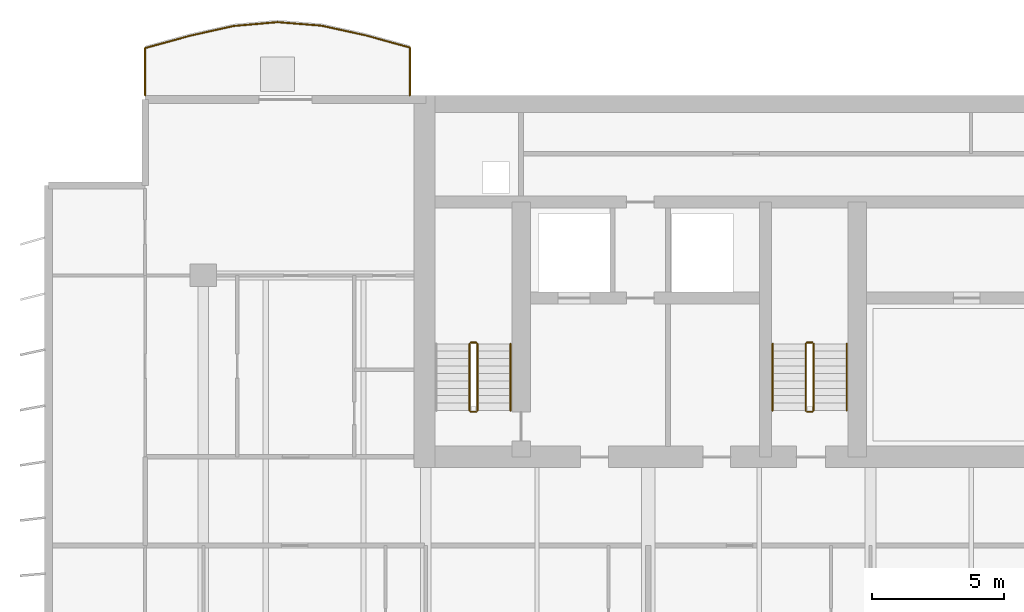
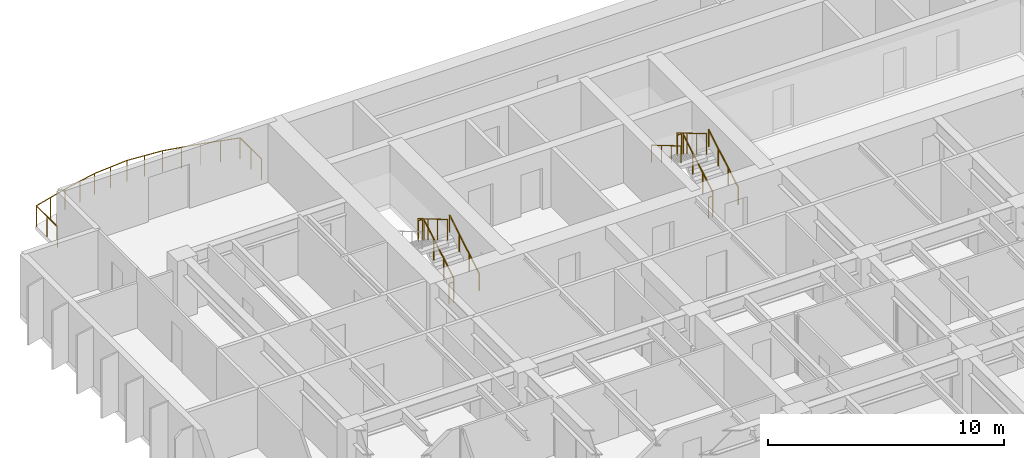
# One storey, part 17 of 19: 12 railings.
"""IFC4 building model written with IfcOpenShell, lengths in metres."""

from ifc_helpers import new_model, si_unit, direction, frame, origin, origin_2d, place, context, subcontext, project, spatial, circle, extrude, material, type_object, element, save


model = new_model("IFC4")

# Units and contexts
model_context = context("Model", 3, precision=1e-05, world=origin(), true_north=direction((0.0, 1.0)))
body_context = subcontext(model_context, "Body", "Model", "MODEL_VIEW")
ifc_project = project(units=[si_unit("LENGTHUNIT", "METRE"), si_unit("AREAUNIT", "SQUARE_METRE"), si_unit("VOLUMEUNIT", "CUBIC_METRE"), si_unit("PLANEANGLEUNIT", "RADIAN"), si_unit("MASSUNIT", "GRAM", prefix="KILO")], contexts=[model_context])

# Site, building, storey
site_placement = place(None, origin())
site = spatial("IfcSite", under=ifc_project, at=site_placement, CompositionType="ELEMENT")
building_placement = place(site_placement, origin())
building = spatial("IfcBuilding", under=site, at=building_placement, Name="Caelmar Bay Residences", CompositionType="ELEMENT")
storey_placement = place(building_placement, frame((0.0, 0.0, 112.5)))
storey = spatial("IfcBuildingStorey", under=building, at=storey_placement, Name="L30", CompositionType="ELEMENT", Elevation=112.5)

# Railings
ifc_material_1 = material(Name="Anodised bronze handrail with laminated hurricane glass infill", Category="glass")
railing_type_1 = type_object("IfcRailingType", Name="RL-BAL-1100", PredefinedType="BALUSTRADE", material=ifc_material_1)
railing_1_placement = place(storey_placement, frame((17.699951171875, 50.60009765625, 0.0)))
element("IfcRailing", 1, at=railing_1_placement, inside=storey, type_object=railing_type_1, Name="L30 north_west Balcony Balustrade", PredefinedType="BALUSTRADE", context=body_context, shape_type="SweptSolid", body=[
    extrude(circle(Radius=0.02392578125, at=origin_2d()), frame((0.0, 0.0, 1.076171875), z_axis=(0.0, 1.0, 0.0), x_axis=(-1.0, 0.0, 0.0)), (0.0, 0.0, 1.0), 1.8095703125),
    extrude(circle(Radius=0.02392578125, at=origin_2d()), frame((0.0, 1.8095703125, 1.076171875), z_axis=(-0.964003851304, 0.265888274792, 0.0), x_axis=(-0.265888274792, -0.964003851304, 0.0)), (0.0, 0.0, 1.0), 1.72900390625),
    extrude(circle(Radius=0.02392578125, at=origin_2d()), frame((-1.666748046875, 2.269287109375, 1.076171875), z_axis=(-0.97672606775, 0.214490532604, 0.0), x_axis=(-0.214490532604, -0.97672606775, 0.0)), (0.0, 0.0, 1.0), 1.706298828125),
    extrude(circle(Radius=0.02392578125, at=origin_2d()), frame((-3.333251953125, 2.63525390625, 1.076171875), z_axis=(-0.996758858584, 0.080447360639, 0.0), x_axis=(-0.080447360639, -0.996758858584, 0.0)), (0.0, 0.0, 1.0), 1.672119140625),
    extrude(circle(Radius=0.02392578125, at=origin_2d()), frame((-5.0, 2.769775390625, 1.076171875), z_axis=(-0.99610915751, -0.088128011006, 0.0), x_axis=(0.088128011006, -0.99610915751, 0.0)), (0.0, 0.0, 1.0), 1.67333984375),
    extrude(circle(Radius=0.02392578125, at=origin_2d()), frame((-6.666748046875, 2.622314453125, 1.076171875), z_axis=(-0.975696921585, -0.219124433166, 0.0), x_axis=(0.219124433166, -0.975696921585, 0.0)), (0.0, 0.0, 1.0), 1.7080078125),
    extrude(circle(Radius=0.02392578125, at=origin_2d()), frame((-8.333251953125, 2.248046875, 1.076171875), z_axis=(-0.963967650546, -0.266019489326, 0.0), x_axis=(0.266019489326, -0.963967650546, 0.0)), (0.0, 0.0, 1.0), 1.72900390625),
    extrude(circle(Radius=0.02392578125, at=origin_2d()), frame((-10.0, 1.7880859375, 1.076171875), z_axis=(0.0, -1.0, 0.0), x_axis=(1.0, 0.0, 0.0)), (0.0, 0.0, 1.0), 1.7880859375),
    extrude(circle(Radius=0.02099609375, at=origin_2d()), origin(), (0.0, 0.0, 1.0), 1.052001953125),
    extrude(circle(Radius=0.02099609375, at=origin_2d()), frame((0.0, 0.90478515625, 0.0)), (0.0, 0.0, 1.0), 1.052001953125),
    extrude(circle(Radius=0.02099609375, at=origin_2d()), frame((0.0, 1.8095703125, 0.0)), (0.0, 0.0, 1.0), 1.052001953125),
    extrude(circle(Radius=0.02099609375, at=origin_2d()), frame((-0.83349609375, 2.03955078125, 0.0)), (0.0, 0.0, 1.0), 1.052001953125),
    extrude(circle(Radius=0.02099609375, at=origin_2d()), frame((-1.666748046875, 2.269287109375, 0.0)), (0.0, 0.0, 1.0), 1.052001953125),
    extrude(circle(Radius=0.02099609375, at=origin_2d()), frame((-2.5, 2.4521484375, 0.0)), (0.0, 0.0, 1.0), 1.052001953125),
    extrude(circle(Radius=0.02099609375, at=origin_2d()), frame((-3.333251953125, 2.63525390625, 0.0)), (0.0, 0.0, 1.0), 1.052001953125),
    extrude(circle(Radius=0.02099609375, at=origin_2d()), frame((-4.16650390625, 2.70263671875, 0.0)), (0.0, 0.0, 1.0), 1.052001953125),
    extrude(circle(Radius=0.02099609375, at=origin_2d()), frame((-5.0, 2.769775390625, 0.0)), (0.0, 0.0, 1.0), 1.052001953125),
    extrude(circle(Radius=0.02099609375, at=origin_2d()), frame((-5.83349609375, 2.696044921875, 0.0)), (0.0, 0.0, 1.0), 1.052001953125),
    extrude(circle(Radius=0.02099609375, at=origin_2d()), frame((-6.666748046875, 2.622314453125, 0.0)), (0.0, 0.0, 1.0), 1.052001953125),
    extrude(circle(Radius=0.02099609375, at=origin_2d()), frame((-7.5, 2.43505859375, 0.0)), (0.0, 0.0, 1.0), 1.052001953125),
    extrude(circle(Radius=0.02099609375, at=origin_2d()), frame((-8.333251953125, 2.248046875, 0.0)), (0.0, 0.0, 1.0), 1.052001953125),
    extrude(circle(Radius=0.02099609375, at=origin_2d()), frame((-9.16650390625, 2.01806640625, 0.0)), (0.0, 0.0, 1.0), 1.052001953125),
    extrude(circle(Radius=0.02099609375, at=origin_2d()), frame((-10.0, 1.7880859375, 0.0)), (0.0, 0.0, 1.0), 1.052001953125),
    extrude(circle(Radius=0.02099609375, at=origin_2d()), frame((-10.0, 0.89404296875, 0.0)), (0.0, 0.0, 1.0), 1.052001953125),
    extrude(circle(Radius=0.02099609375, at=origin_2d()), frame((-10.0, 0.0, 0.0)), (0.0, 0.0, 1.0), 1.052001953125),
])
ifc_material_2 = material(Name="Painted galvanized steel stair guard 1100 mm", Category="steel")
railing_type_2 = type_object("IfcRailingType", Name="RL-GRD-1100", PredefinedType="GUARDRAIL", material=ifc_material_2)
railing_2_placement = place(storey_placement, frame((20.25, 38.699951171875, 0.1650390625)))
element("IfcRailing", 2, at=railing_2_placement, inside=storey, type_object=railing_type_2, Name="L30 ST1 stair guard 1", PredefinedType="GUARDRAIL", context=body_context, shape_type="SweptSolid", body=[
    extrude(circle(Radius=0.02392578125, at=origin_2d()), frame((0.0, 0.0, 1.076171875), z_axis=(0.0, 0.861560626758, 0.507654692109), x_axis=(-1.0, 0.0, 0.0)), (0.0, 0.0, 1.0), 2.925048828125),
    extrude(circle(Radius=0.02099609375, at=origin_2d()), origin(), (0.0, 0.0, 1.0), 1.052001953125),
    extrude(circle(Radius=0.02099609375, at=origin_2d()), frame((0.0, 0.840087890625, 0.494873046875)), (0.0, 0.0, 1.0), 1.052001953125),
    extrude(circle(Radius=0.02099609375, at=origin_2d()), frame((0.0, 1.679931640625, 0.989990234375)), (0.0, 0.0, 1.0), 1.052001953125),
    extrude(circle(Radius=0.02099609375, at=origin_2d()), frame((0.0, 2.52001953125, 1.48486328125)), (0.0, 0.0, 1.0), 1.052001953125),
])
railing_3_placement = place(storey_placement, frame((20.199951171875, 41.27001953125, 1.64990234375)))
element("IfcRailing", 3, at=railing_3_placement, inside=storey, type_object=railing_type_2, Name="L30 ST1 stair guard 2", PredefinedType="GUARDRAIL", context=body_context, shape_type="SweptSolid", body=[
    extrude(circle(Radius=0.02392578125, at=origin_2d()), frame((0.0, 0.0, 1.076171875), z_axis=(-1.0, 0.0, 0.0), x_axis=(0.0, -1.0, 0.0)), (0.0, 0.0, 1.0), 0.199951171875),
    extrude(circle(Radius=0.02099609375, at=origin_2d()), origin(), (0.0, 0.0, 1.0), 1.052001953125),
    extrude(circle(Radius=0.02099609375, at=origin_2d()), frame((-0.199951171875, 0.0, 0.0)), (0.0, 0.0, 1.0), 1.052001953125),
])
railing_4_placement = place(storey_placement, frame((19.949951171875, 41.219970703125, 1.81494140625)))
element("IfcRailing", 4, at=railing_4_placement, inside=storey, type_object=railing_type_2, Name="L30 ST1 stair guard 3", PredefinedType="GUARDRAIL", context=body_context, shape_type="SweptSolid", body=[
    extrude(circle(Radius=0.02392578125, at=origin_2d()), frame((0.0, 0.0, 1.076171875), z_axis=(0.0, -0.86152411907, 0.507716645641), x_axis=(1.0, 0.0, 0.0)), (0.0, 0.0, 1.0), 2.925048828125),
    extrude(circle(Radius=0.02099609375, at=origin_2d()), origin(), (0.0, 0.0, 1.0), 1.052001953125),
    extrude(circle(Radius=0.02099609375, at=origin_2d()), frame((0.0, -0.840087890625, 0.4951171875)), (0.0, 0.0, 1.0), 1.052001953125),
    extrude(circle(Radius=0.02099609375, at=origin_2d()), frame((0.0, -1.679931640625, 0.989990234375)), (0.0, 0.0, 1.0), 1.052001953125),
    extrude(circle(Radius=0.02099609375, at=origin_2d()), frame((0.0, -2.52001953125, 1.485107421875)), (0.0, 0.0, 1.0), 1.052001953125),
])
railing_5_placement = place(storey_placement, frame((20.199951171875, 38.64990234375, 0.0)))
element("IfcRailing", 5, at=railing_5_placement, inside=storey, type_object=railing_type_2, Name="L30 ST1 stair guard 4", PredefinedType="GUARDRAIL", context=body_context, shape_type="SweptSolid", body=[
    extrude(circle(Radius=0.02392578125, at=origin_2d()), frame((0.0, 0.0, 1.076171875), z_axis=(-1.0, 0.0, 0.0), x_axis=(0.0, -1.0, 0.0)), (0.0, 0.0, 1.0), 0.199951171875),
    extrude(circle(Radius=0.02099609375, at=origin_2d()), origin(), (0.0, 0.0, 1.0), 1.052001953125),
    extrude(circle(Radius=0.02099609375, at=origin_2d()), frame((-0.199951171875, 0.0, 0.0)), (0.0, 0.0, 1.0), 1.052001953125),
])
railing_6_placement = place(storey_placement, frame((32.949951171875, 38.699951171875, 0.1650390625)))
element("IfcRailing", 6, at=railing_6_placement, inside=storey, type_object=railing_type_2, Name="L30 ST3 stair guard 1", PredefinedType="GUARDRAIL", context=body_context, shape_type="SweptSolid", body=[
    extrude(circle(Radius=0.02392578125, at=origin_2d()), frame((0.0, 0.0, 1.076171875), z_axis=(0.0, 0.861560626758, 0.507654692109), x_axis=(-1.0, 0.0, 0.0)), (0.0, 0.0, 1.0), 2.925048828125),
    extrude(circle(Radius=0.02099609375, at=origin_2d()), origin(), (0.0, 0.0, 1.0), 1.052001953125),
    extrude(circle(Radius=0.02099609375, at=origin_2d()), frame((0.0, 0.840087890625, 0.494873046875)), (0.0, 0.0, 1.0), 1.052001953125),
    extrude(circle(Radius=0.02099609375, at=origin_2d()), frame((0.0, 1.679931640625, 0.989990234375)), (0.0, 0.0, 1.0), 1.052001953125),
    extrude(circle(Radius=0.02099609375, at=origin_2d()), frame((0.0, 2.52001953125, 1.48486328125)), (0.0, 0.0, 1.0), 1.052001953125),
])
railing_7_placement = place(storey_placement, frame((32.89990234375, 41.27001953125, 1.64990234375)))
element("IfcRailing", 7, at=railing_7_placement, inside=storey, type_object=railing_type_2, Name="L30 ST3 stair guard 2", PredefinedType="GUARDRAIL", context=body_context, shape_type="SweptSolid", body=[
    extrude(circle(Radius=0.02392578125, at=origin_2d()), frame((0.0, 0.0, 1.076171875), z_axis=(-1.0, 0.0, 0.0), x_axis=(0.0, -1.0, 0.0)), (0.0, 0.0, 1.0), 0.199951171875),
    extrude(circle(Radius=0.02099609375, at=origin_2d()), origin(), (0.0, 0.0, 1.0), 1.052001953125),
    extrude(circle(Radius=0.02099609375, at=origin_2d()), frame((-0.199951171875, 0.0, 0.0)), (0.0, 0.0, 1.0), 1.052001953125),
])
railing_8_placement = place(storey_placement, frame((32.64990234375, 41.219970703125, 1.81494140625)))
element("IfcRailing", 8, at=railing_8_placement, inside=storey, type_object=railing_type_2, Name="L30 ST3 stair guard 3", PredefinedType="GUARDRAIL", context=body_context, shape_type="SweptSolid", body=[
    extrude(circle(Radius=0.02392578125, at=origin_2d()), frame((0.0, 0.0, 1.076171875), z_axis=(0.0, -0.86152411907, 0.507716645641), x_axis=(1.0, 0.0, 0.0)), (0.0, 0.0, 1.0), 2.925048828125),
    extrude(circle(Radius=0.02099609375, at=origin_2d()), origin(), (0.0, 0.0, 1.0), 1.052001953125),
    extrude(circle(Radius=0.02099609375, at=origin_2d()), frame((0.0, -0.840087890625, 0.4951171875)), (0.0, 0.0, 1.0), 1.052001953125),
    extrude(circle(Radius=0.02099609375, at=origin_2d()), frame((0.0, -1.679931640625, 0.989990234375)), (0.0, 0.0, 1.0), 1.052001953125),
    extrude(circle(Radius=0.02099609375, at=origin_2d()), frame((0.0, -2.52001953125, 1.485107421875)), (0.0, 0.0, 1.0), 1.052001953125),
])
railing_9_placement = place(storey_placement, frame((32.89990234375, 38.64990234375, 0.0)))
element("IfcRailing", 9, at=railing_9_placement, inside=storey, type_object=railing_type_2, Name="L30 ST3 stair guard 4", PredefinedType="GUARDRAIL", context=body_context, shape_type="SweptSolid", body=[
    extrude(circle(Radius=0.02392578125, at=origin_2d()), frame((0.0, 0.0, 1.076171875), z_axis=(-1.0, 0.0, 0.0), x_axis=(0.0, -1.0, 0.0)), (0.0, 0.0, 1.0), 0.199951171875),
    extrude(circle(Radius=0.02099609375, at=origin_2d()), origin(), (0.0, 0.0, 1.0), 1.052001953125),
    extrude(circle(Radius=0.02099609375, at=origin_2d()), frame((-0.199951171875, 0.0, 0.0)), (0.0, 0.0, 1.0), 1.052001953125),
])
ifc_material_3 = material(Name="Brushed bronze stainless-steel tubular handrail 900 mm", Category="steel")
railing_type_3 = type_object("IfcRailingType", Name="RL-HND-900", PredefinedType="HANDRAIL", material=ifc_material_3)
for number, where, name in (
    (10, (21.5, 38.699951171875, 0.1650390625), "L30 ST1 stair handrail 1"),
    (11, (34.199951171875, 38.699951171875, 0.1650390625), "L30 ST3 stair handrail 1"),
):
    element("IfcRailing", number, at=place(storey_placement, frame(where)), inside=storey, type_object=railing_type_3, Name=name, PredefinedType="HANDRAIL", context=body_context, shape_type="SweptSolid", body=[
        extrude(circle(Radius=0.02392578125, at=origin_2d()), frame((0.0, 0.0, 0.8759765625), z_axis=(0.0, 0.861560626758, 0.507654692109), x_axis=(-1.0, 0.0, 0.0)), (0.0, 0.0, 1.0), 2.925048828125),
        extrude(circle(Radius=0.02099609375, at=origin_2d()), origin(), (0.0, 0.0, 1.0), 0.851806640625),
        extrude(circle(Radius=0.02099609375, at=origin_2d()), frame((0.0, 0.840087890625, 0.494873046875)), (0.0, 0.0, 1.0), 0.851806640625),
        extrude(circle(Radius=0.02099609375, at=origin_2d()), frame((0.0, 1.679931640625, 0.989990234375)), (0.0, 0.0, 1.0), 0.851806640625),
        extrude(circle(Radius=0.02099609375, at=origin_2d()), frame((0.0, 2.52001953125, 1.48486328125)), (0.0, 0.0, 1.0), 0.851806640625),
    ])
railing_10_placement = place(storey_placement, frame((31.39990234375, 41.219970703125, 1.81494140625)))
element("IfcRailing", 12, at=railing_10_placement, inside=storey, type_object=railing_type_3, Name="L30 ST3 stair handrail 2", PredefinedType="HANDRAIL", context=body_context, shape_type="SweptSolid", body=[
    extrude(circle(Radius=0.02392578125, at=origin_2d()), frame((0.0, 0.0, 0.8759765625), z_axis=(0.0, -0.86152411907, 0.507716645641), x_axis=(1.0, 0.0, 0.0)), (0.0, 0.0, 1.0), 2.925048828125),
    extrude(circle(Radius=0.02099609375, at=origin_2d()), origin(), (0.0, 0.0, 1.0), 0.851806640625),
    extrude(circle(Radius=0.02099609375, at=origin_2d()), frame((0.0, -0.840087890625, 0.4951171875)), (0.0, 0.0, 1.0), 0.851806640625),
    extrude(circle(Radius=0.02099609375, at=origin_2d()), frame((0.0, -1.679931640625, 0.989990234375)), (0.0, 0.0, 1.0), 0.851806640625),
    extrude(circle(Radius=0.02099609375, at=origin_2d()), frame((0.0, -2.52001953125, 1.485107421875)), (0.0, 0.0, 1.0), 0.851806640625),
])

save(model, "model.ifc")
